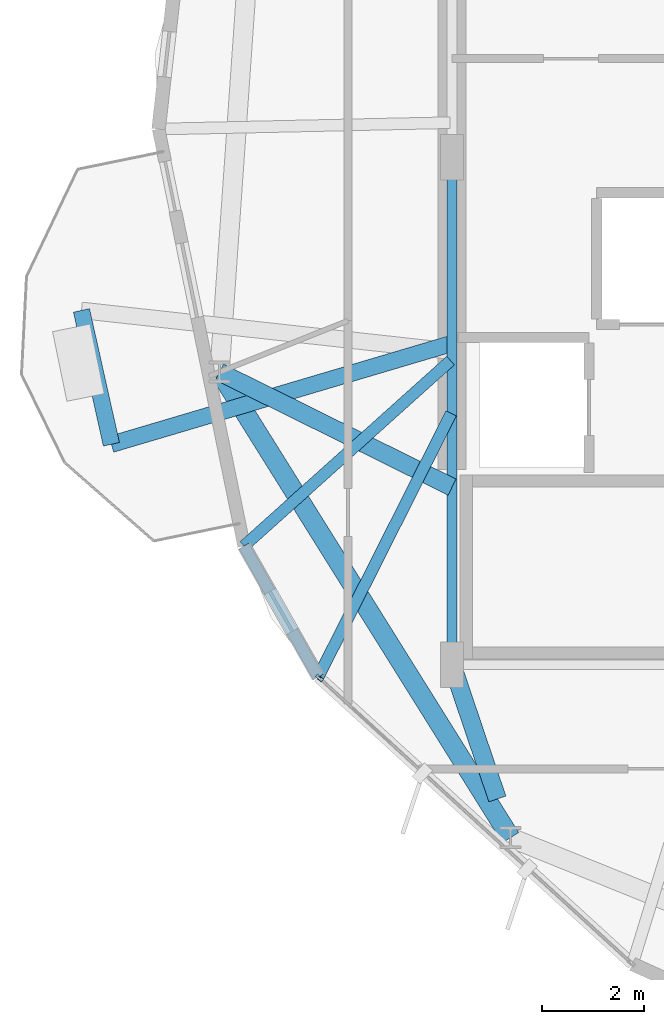
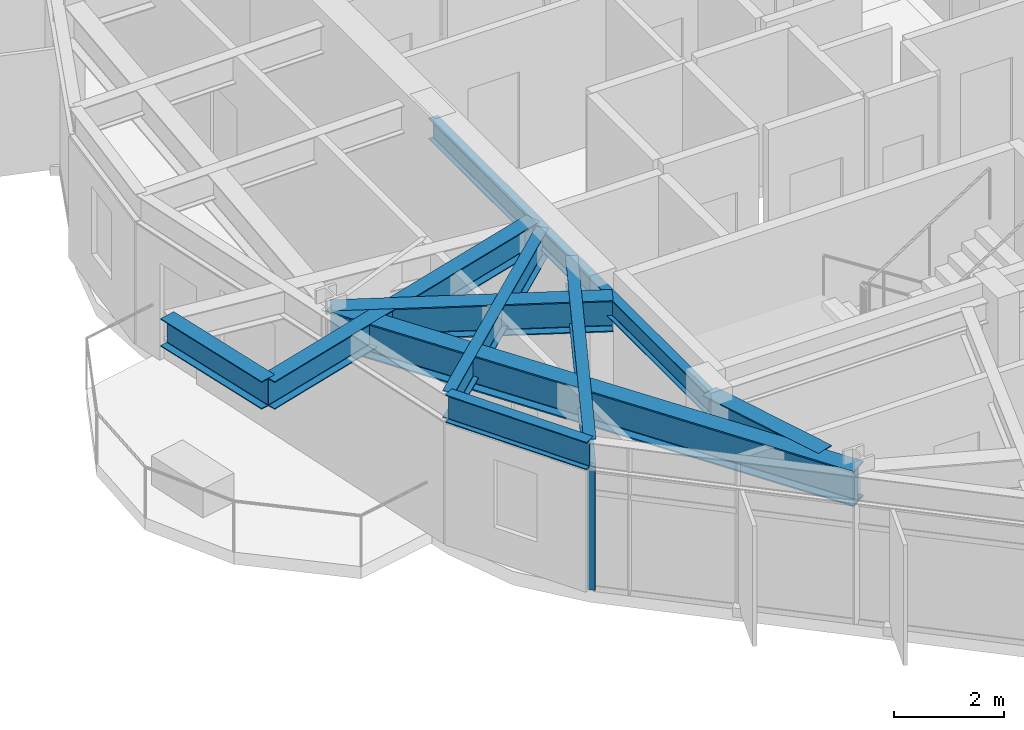
# One storey, part 3 of 22: 9 beams, 1 member, 1 element without a shape of its own.
"""IFC4 building model written with IfcOpenShell, lengths in metres."""

from ifc_helpers import new_model, si_unit, direction, frame, origin, origin_2d, place, context, subcontext, project, spatial, hollow_rectangle, i_section, extrude, material, layer, layer_set, material_profile, profile_set, type_object, element, aggregate, save


model = new_model("IFC4")

# Units and contexts
model_context = context("Model", 3, precision=1e-05, world=origin(), true_north=direction((0.0, 1.0)))
body_context = subcontext(model_context, "Body", "Model", "MODEL_VIEW")
ifc_project = project(units=[si_unit("LENGTHUNIT", "METRE"), si_unit("AREAUNIT", "SQUARE_METRE"), si_unit("VOLUMEUNIT", "CUBIC_METRE"), si_unit("PLANEANGLEUNIT", "RADIAN"), si_unit("MASSUNIT", "GRAM", prefix="KILO")], contexts=[model_context])

# Site, building, storey
site_placement = place(None, origin())
site = spatial("IfcSite", under=ifc_project, at=site_placement, CompositionType="ELEMENT")
building_placement = place(site_placement, origin())
building = spatial("IfcBuilding", under=site, at=building_placement, Name="Soratama Intermodal Tower", CompositionType="ELEMENT")
storey_placement = place(building_placement, frame((0.0, 0.0, 142.60009765625)))
storey = spatial("IfcBuildingStorey", under=building, at=storey_placement, Name="L34", CompositionType="ELEMENT", Elevation=142.60009765625)

# Beams
ifc_material_1 = material(Name="Structural steel ASTM A992 Grade 50", Category="steel")
ifc_material_profile_1 = material_profile(ifc_material_1, i_section(OverallWidth=0.324951171875, OverallDepth=0.615966796875, WebThickness=0.013916015625, FlangeThickness=0.021484375, FilletRadius=0.013916015625, at=origin_2d()), Name="W24X117")
ifc_profile_set_1 = profile_set([ifc_material_profile_1], Name="Structural steel ASTM A992 Grade 50")
beam_type_1 = type_object("IfcBeamType", Name="BM-CANT-W24X117", PredefinedType="BEAM", material=ifc_profile_set_1)
beam_1_placement = place(storey_placement, frame((25.300048828125, 21.98095703125, 2.991943359375), z_axis=(0.218288705924, -0.975884235382, 0.0), x_axis=(0.975884235382, 0.218288705924, 0.0)))
element("IfcBeam", 1, at=beam_1_placement, inside=storey, type_object=beam_type_1, Name="BM-L34-CBHDR-3", PredefinedType="BEAM", context=body_context, shape_type="SweptSolid", body=[
    extrude(i_section(OverallWidth=0.324951171875, OverallDepth=0.615966796875, WebThickness=0.013916015625, FlangeThickness=0.021484375, FilletRadius=0.013916015625, at=origin_2d()), origin(), (0.0, 0.0, 1.0), 2.7021484375),
])
beam_2_placement = place(storey_placement, frame((32.56201171875, 21.319091796875, 2.991943359375), z_axis=(-0.958869582001, -0.283847009345, 0.0), x_axis=(0.283847009345, -0.958869582001, 0.0)))
element("IfcBeam", 2, at=beam_2_placement, inside=storey, type_object=beam_type_1, Name="BM-L34-CANT-3-2", PredefinedType="BEAM", context=body_context, shape_type="SweptSolid", body=[
    extrude(i_section(OverallWidth=0.324951171875, OverallDepth=0.615966796875, WebThickness=0.013916015625, FlangeThickness=0.021484375, FilletRadius=0.013916015625, at=origin_2d()), origin(), (0.0, 0.0, 1.0), 6.958251953125),
])
ifc_material_2 = material(Name="Structural steel ASTM A992 Grade 50", Category="steel")
ifc_material_profile_2 = material_profile(ifc_material_2, i_section(OverallWidth=0.19091796875, OverallDepth=0.4599609375, WebThickness=0.010009765625, FlangeThickness=0.01611328125, FilletRadius=0.010986328125, at=origin_2d()), Name="W18X55")
ifc_profile_set_2 = profile_set([ifc_material_profile_2], Name="Structural steel ASTM A992 Grade 50")
beam_type_2 = type_object("IfcBeamType", Name="BM-FLR-W18X55", PredefinedType="BEAM", material=ifc_profile_set_2)
beam_3_placement = place(storey_placement, frame((32.60009765625, 25.0, 3.06982421875), z_axis=(0.0, -1.0, 0.0), x_axis=(1.0, 0.0, 0.0)))
element("IfcBeam", 3, at=beam_3_placement, inside=storey, type_object=beam_type_2, Name="BM-L34-CRING-09", PredefinedType="BEAM", context=body_context, shape_type="SweptSolid", body=[
    extrude(i_section(OverallWidth=0.19091796875, OverallDepth=0.4599609375, WebThickness=0.010009765625, FlangeThickness=0.01611328125, FilletRadius=0.010986328125, at=origin_2d()), origin(), (0.0, 0.0, 1.0), 10.0),
])
ifc_material_3 = material(Name="Structural steel ASTM A992 Grade 50", Category="steel")
ifc_material_profile_3 = material_profile(ifc_material_3, i_section(OverallWidth=0.35498046875, OverallDepth=0.695068359375, WebThickness=0.015380859375, FlangeThickness=0.02490234375, FilletRadius=0.01611328125, at=origin_2d()), Name="W27X146")
ifc_profile_set_3 = profile_set([ifc_material_profile_3], Name="Structural steel ASTM A992 Grade 50")
beam_type_3 = type_object("IfcBeamType", Name="BM-RING-W27X146", PredefinedType="BEAM", material=ifc_profile_set_3)
beam_4_placement = place(storey_placement, frame((32.60009765625, 18.5, 2.952392578125), z_axis=(-0.89629219718, 0.443463975172, 0.0), x_axis=(-0.443463975172, -0.89629219718, 0.0)))
element("IfcBeam", 4, at=beam_4_placement, inside=storey, type_object=beam_type_3, Name="BM-L34-RAD-06", PredefinedType="BEAM", context=body_context, shape_type="SweptSolid", body=[
    extrude(i_section(OverallWidth=0.35498046875, OverallDepth=0.695068359375, WebThickness=0.015380859375, FlangeThickness=0.02490234375, FilletRadius=0.01611328125, at=origin_2d()), origin(), (0.0, 0.0, 1.0), 5.110107421875),
])
beam_5_placement = place(storey_placement, frame((32.60009765625, 15.0, 2.952392578125), z_axis=(0.32013816754, -0.947370863856, 0.0), x_axis=(0.947370863856, 0.32013816754, 0.0)))
element("IfcBeam", 5, at=beam_5_placement, inside=storey, type_object=beam_type_3, Name="BM-L34-RAD-07", PredefinedType="BEAM", context=body_context, shape_type="SweptSolid", body=[
    extrude(i_section(OverallWidth=0.35498046875, OverallDepth=0.695068359375, WebThickness=0.015380859375, FlangeThickness=0.02490234375, FilletRadius=0.01611328125, at=origin_2d()), origin(), (0.0, 0.0, 1.0), 2.788818359375),
])
ifc_material_4 = material(Name="Structural steel ASTM A992 Grade 50", Category="steel")
ifc_material_profile_4 = material_profile(ifc_material_4, i_section(OverallWidth=0.382080078125, OverallDepth=0.779052734375, WebThickness=0.01806640625, FlangeThickness=0.030029296875, FilletRadius=0.01806640625, at=origin_2d()), Name="W30X191")
ifc_profile_set_4 = profile_set([ifc_material_profile_4], Name="Structural steel ASTM A992 Grade 50")
beam_type_4 = type_object("IfcBeamType", Name="BM-RING-W30X191", PredefinedType="BEAM", material=ifc_profile_set_4)
beam_6_placement = place(storey_placement, frame((28.02001953125, 20.76611328125, 2.910400390625), z_axis=(0.529891394359, -0.84806551055, 0.0), x_axis=(0.84806551055, 0.529891394359, 0.0)))
element("IfcBeam", 6, at=beam_6_placement, inside=storey, type_object=beam_type_4, Name="BM-L34-RING-06", PredefinedType="BEAM", context=body_context, shape_type="SweptSolid", body=[
    extrude(i_section(OverallWidth=0.382080078125, OverallDepth=0.779052734375, WebThickness=0.01806640625, FlangeThickness=0.030029296875, FilletRadius=0.01806640625, at=origin_2d()), origin(), (0.0, 0.0, 1.0), 10.8154296875),
])
ifc_material_5 = material(Name="Structural steel ASTM A992 Grade 50", Category="steel")
ifc_material_profile_5 = material_profile(ifc_material_5, i_section(OverallWidth=0.22900390625, OverallDepth=0.612060546875, WebThickness=0.011962890625, FlangeThickness=0.01953125, FilletRadius=0.012939453125, at=origin_2d()), Name="W24X84")
ifc_profile_set_5 = profile_set([ifc_material_profile_5], Name="Structural steel ASTM A992 Grade 50")
beam_type_5 = type_object("IfcBeamType", Name="BM-SPN-W24X84", PredefinedType="SPANDREL", material=ifc_profile_set_5)
beam_7_placement = place(storey_placement, frame((28.5009765625, 17.340087890625, 2.993896484375), z_axis=(0.493681244149, -0.869642931999, 0.0), x_axis=(0.869642931999, 0.493681244149, 0.0)))
element("IfcBeam", 7, at=beam_7_placement, inside=storey, type_object=beam_type_5, Name="BS-L34-CRN05", PredefinedType="SPANDREL", context=body_context, shape_type="SweptSolid", body=[
    extrude(i_section(OverallWidth=0.22900390625, OverallDepth=0.612060546875, WebThickness=0.011962890625, FlangeThickness=0.01953125, FilletRadius=0.012939453125, at=origin_2d()), origin(), (0.0, 0.0, 1.0), 2.9658203125),
])
ifc_material_6 = material(Name="Structural steel ASTM A992 Grade 50", Category="steel")
ifc_material_profile_6 = material_profile(ifc_material_6, i_section(OverallWidth=0.22900390625, OverallDepth=0.612060546875, WebThickness=0.011962890625, FlangeThickness=0.01953125, FilletRadius=0.012939453125, at=origin_2d()), Name="W24X84")
ifc_profile_set_6 = profile_set([ifc_material_profile_6], Name="Structural steel ASTM A992 Grade 50")
beam_type_6 = type_object("IfcBeamType", Name="BM-TIE-W24X84", PredefinedType="BEAM", material=ifc_profile_set_6)
beam_8_placement = place(storey_placement, frame((32.570068359375, 20.991943359375, 2.993896484375), z_axis=(-0.744232608244, -0.667920522836, 0.0), x_axis=(0.667920522836, -0.744232608244, 0.0)))
element("IfcBeam", 8, at=beam_8_placement, inside=storey, type_object=beam_type_6, Name="BM-L34-TIE1-05", PredefinedType="BEAM", context=body_context, shape_type="SweptSolid", body=[
    extrude(i_section(OverallWidth=0.22900390625, OverallDepth=0.612060546875, WebThickness=0.011962890625, FlangeThickness=0.01953125, FilletRadius=0.012939453125, at=origin_2d()), origin(), (0.0, 0.0, 1.0), 5.467529296875),
])
beam_9_placement = place(storey_placement, frame((32.58203125, 19.952880859375, 2.993896484375), z_axis=(-0.450100235166, -0.892978039094, 0.0), x_axis=(0.892978039094, -0.450100235166, 0.0)))
element("IfcBeam", 9, at=beam_9_placement, inside=storey, type_object=beam_type_6, Name="BM-L34-TIE0-06", PredefinedType="BEAM", context=body_context, shape_type="SweptSolid", body=[
    extrude(i_section(OverallWidth=0.22900390625, OverallDepth=0.612060546875, WebThickness=0.011962890625, FlangeThickness=0.01953125, FilletRadius=0.012939453125, at=origin_2d()), origin(), (0.0, 0.0, 1.0), 5.814208984375),
])

# Curtain wall, member
ifc_material_7 = material(Name="Double-glazed aluminium curtain wall", Category="aluminium")
ifc_layer = layer(ifc_material_7, 0.159912109375)
ifc_layer_set = layer_set([ifc_layer], Name="Double-glazed aluminium curtain wall")
curtain_wall_type = type_object("IfcCurtainWallType", Name="CW-SYS-4", PredefinedType="NOTDEFINED", material=ifc_layer_set)
curtain_wall_placement = place(storey_placement, origin())
curtain_wall = element("IfcCurtainWall", 10, at=curtain_wall_placement, inside=storey, type_object=curtain_wall_type, Name="L34 Faceted Curtain Wall F06", PredefinedType="NOTDEFINED")
ifc_material_8 = material(Name="Anodised aluminium AA 6063-T6", Category="aluminium")
ifc_material_profile_7 = material_profile(ifc_material_8, hollow_rectangle(XDim=0.070068359375, YDim=0.159912109375, WallThickness=0.0048828125, InnerFilletRadius=0.0048828125, OuterFilletRadius=0.010009765625, at=origin_2d()), Name="CWM160X70X5")
ifc_profile_set_7 = profile_set([ifc_material_profile_7], Name="Anodised aluminium AA 6063-T6")
member_type = type_object("IfcMemberType", Name="MT-CWM-4", PredefinedType="MULLION", material=ifc_profile_set_7)
member_placement = place(storey_placement, frame((29.987548828125, 14.740234375, 0.0), z_axis=(0.0, 0.0, 1.0), x_axis=(0.674559219776, 0.738220738678, 0.0)))
member = element("IfcMember", 11, at=member_placement, type_object=member_type, Name="CW-4 mullion 1", PredefinedType="MULLION", context=body_context, shape_type="SweptSolid", body=[
    extrude(hollow_rectangle(XDim=0.070068359375, YDim=0.159912109375, WallThickness=0.0048828125, InnerFilletRadius=0.0048828125, OuterFilletRadius=0.010009765625, at=origin_2d()), origin(), (0.0, 0.0, 1.0), 2.678955078125),
])
aggregate(curtain_wall, [member])

save(model, "model.ifc")
